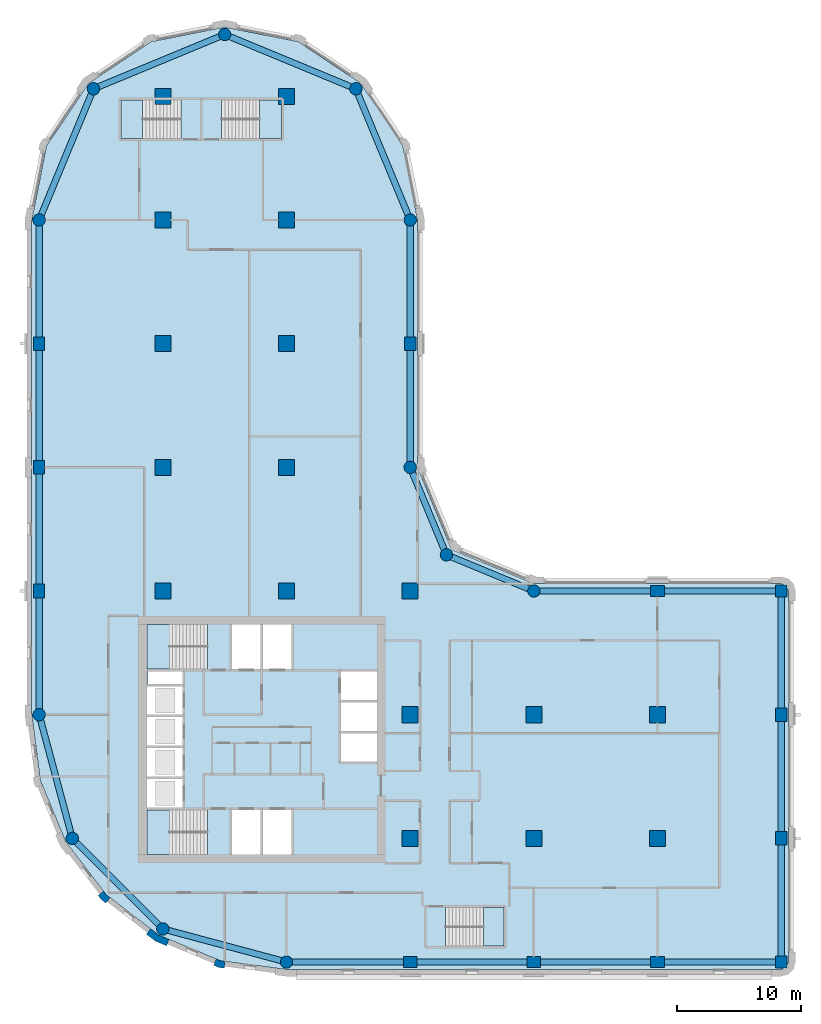
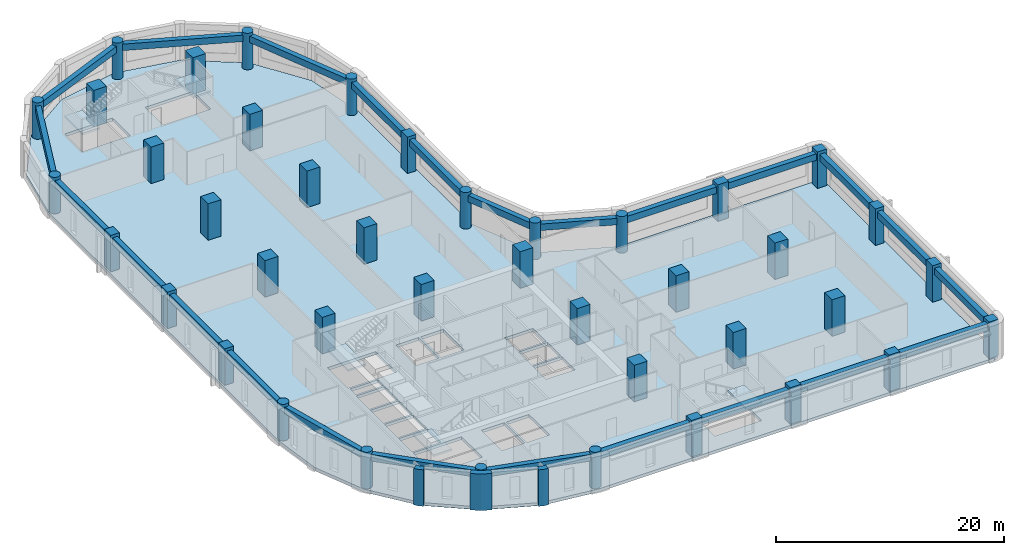
# One storey, part 1 of 9: 41 columns, 24 beams, 6 slabs, 3 walls, 5 elements without a shape of their own.
"""IFC4 building model written with IfcOpenShell, lengths in metres."""

from ifc_helpers import new_model, si_unit, direction, frame, origin, origin_2d, place, context, subcontext, project, spatial, polyline, rectangle, circle, outline, extrude, material, layer, layer_set, material_profile, profile_set, type_object, element, aggregate, save


model = new_model("IFC4")

# Units and contexts
model_context = context("Model", 3, precision=1e-05, world=origin(), true_north=direction((0.0, 1.0)))
body_context = subcontext(model_context, "Body", "Model", "MODEL_VIEW")
ifc_project = project(units=[si_unit("LENGTHUNIT", "METRE"), si_unit("AREAUNIT", "SQUARE_METRE"), si_unit("VOLUMEUNIT", "CUBIC_METRE"), si_unit("PLANEANGLEUNIT", "RADIAN"), si_unit("MASSUNIT", "GRAM", prefix="KILO")], contexts=[model_context])

# Site, building, storey
site_placement = place(None, origin())
site = spatial("IfcSite", under=ifc_project, at=site_placement, CompositionType="ELEMENT")
building_placement = place(site_placement, origin())
building = spatial("IfcBuilding", under=site, at=building_placement, Name="Qaws Garden Tower", CompositionType="ELEMENT")
storey_placement = place(building_placement, frame((0.0, 0.0, 170.699951171875)))
storey = spatial("IfcBuildingStorey", under=building, at=storey_placement, Name="L41", CompositionType="ELEMENT", Elevation=170.699951171875)

# Columns
ifc_material_1 = material(Name="Concrete C70", Category="concrete")
ifc_material_profile_1 = material_profile(ifc_material_1, rectangle(XDim=1.10009765625, YDim=0.89990234375, at=origin_2d()), Name="RC 1100x900")
ifc_profile_set_1 = profile_set([ifc_material_profile_1], Name="Concrete C70")
column_type_1 = type_object("IfcColumnType", Name="Column RC 1100x900 C70", PredefinedType="COLUMN", material=ifc_profile_set_1)
for number, where, z_axis, x_axis, name in (
    (1, (30.0, 0.0, 0.0), (0.0, 0.0, 1.0), (1.0, 0.0, 0.0), "Column L41-002"),
    (2, (40.0, 0.0, 0.0), (0.0, 0.0, 1.0), (1.0, 0.0, 0.0), "Column L41-003"),
    (3, (50.0, 0.0, 0.0), (0.0, 0.0, 1.0), (1.0, 0.0, 0.0), "Column L41-004"),
    (4, (60.0, 10.0, 0.0), (0.0, 0.0, 1.0), (0.0, 1.0, 0.0), "Column L41-006"),
    (5, (60.0, 20.0, 0.0), (0.0, 0.0, 1.0), (0.0, 1.0, 0.0), "Column L41-007"),
    (6, (50.0, 30.0, 0.0), (0.0, 0.0, 1.0), (1.0, 0.0, 0.0), "Column L41-009"),
    (7, (30.0, 50.0, 0.0), (0.0, 0.0, 1.0), (0.0, 1.0, 0.0), "Column L41-013"),
    (8, (0.0, 50.0, 0.0), (0.0, 0.0, 1.0), (0.0, 1.0, 0.0), "Column L41-019"),
    (9, (0.0, 40.0, 0.0), (0.0, 0.0, 1.0), (0.0, 1.0, 0.0), "Column L41-020"),
    (10, (0.0, 30.0, 0.0), (0.0, 0.0, 1.0), (0.0, 1.0, 0.0), "Column L41-021"),
):
    element("IfcColumn", number, at=place(storey_placement, frame(where, z_axis=z_axis, x_axis=x_axis)), inside=storey, type_object=column_type_1, Name=name, PredefinedType="COLUMN", context=body_context, shape_type="SweptSolid", body=[
        extrude(rectangle(XDim=1.10009765625, YDim=0.89990234375, at=origin_2d()), origin(), (0.0, 0.0, 1.0), 3.900146484375),
    ])
ifc_material_2 = material(Name="Concrete C70", Category="concrete")
ifc_material_profile_2 = material_profile(ifc_material_2, rectangle(XDim=1.300048828125, YDim=1.300048828125, at=origin_2d()), Name="RC 1300x1300")
ifc_profile_set_2 = profile_set([ifc_material_profile_2], Name="Concrete C70")
column_type_2 = type_object("IfcColumnType", Name="Column RC 1300x1300 C70", PredefinedType="COLUMN", material=ifc_profile_set_2)
for number, where, z_axis, x_axis, name in (
    (11, (10.0, 30.0, 0.0), (0.0, 0.0, 1.0), (1.0, 0.0, 0.0), "Column L41-025"),
    (12, (10.0, 40.0, 0.0), (0.0, 0.0, 1.0), (1.0, 0.0, 0.0), "Column L41-026"),
    (13, (10.0, 50.0, 0.0), (0.0, 0.0, 1.0), (1.0, 0.0, 0.0), "Column L41-027"),
    (14, (10.0, 60.0, 0.0), (0.0, 0.0, 1.0), (1.0, 0.0, 0.0), "Column L41-028"),
    (15, (10.0, 70.0, 0.0), (0.0, 0.0, 1.0), (1.0, 0.0, 0.0), "Column L41-029"),
    (16, (20.0, 30.0, 0.0), (0.0, 0.0, 1.0), (1.0, 0.0, 0.0), "Column L41-030"),
    (17, (20.0, 40.0, 0.0), (0.0, 0.0, 1.0), (1.0, 0.0, 0.0), "Column L41-031"),
    (18, (20.0, 50.0, 0.0), (0.0, 0.0, 1.0), (1.0, 0.0, 0.0), "Column L41-032"),
    (19, (20.0, 60.0, 0.0), (0.0, 0.0, 1.0), (1.0, 0.0, 0.0), "Column L41-033"),
    (20, (20.0, 70.0, 0.0), (0.0, 0.0, 1.0), (1.0, 0.0, 0.0), "Column L41-034"),
    (21, (30.0, 10.0, 0.0), (0.0, 0.0, 1.0), (1.0, 0.0, 0.0), "Column L41-035"),
    (22, (30.0, 20.0, 0.0), (0.0, 0.0, 1.0), (1.0, 0.0, 0.0), "Column L41-036"),
    (23, (30.0, 30.0, 0.0), (0.0, 0.0, 1.0), (1.0, 0.0, 0.0), "Column L41-037"),
    (24, (40.0, 10.0, 0.0), (0.0, 0.0, 1.0), (1.0, 0.0, 0.0), "Column L41-038"),
    (25, (40.0, 20.0, 0.0), (0.0, 0.0, 1.0), (1.0, 0.0, 0.0), "Column L41-039"),
    (26, (50.0, 10.0, 0.0), (0.0, 0.0, 1.0), (1.0, 0.0, 0.0), "Column L41-040"),
    (27, (50.0, 20.0, 0.0), (0.0, 0.0, 1.0), (1.0, 0.0, 0.0), "Column L41-041"),
):
    element("IfcColumn", number, at=place(storey_placement, frame(where, z_axis=z_axis, x_axis=x_axis)), inside=storey, type_object=column_type_2, Name=name, PredefinedType="COLUMN", context=body_context, shape_type="SweptSolid", body=[
        extrude(rectangle(XDim=1.300048828125, YDim=1.300048828125, at=origin_2d()), origin(), (0.0, 0.0, 1.0), 3.900146484375),
    ])
ifc_material_3 = material(Name="Concrete C70", Category="concrete")
ifc_material_profile_3 = material_profile(ifc_material_3, rectangle(XDim=0.949951171875, YDim=0.949951171875, at=origin_2d()), Name="RC 950x950")
ifc_profile_set_3 = profile_set([ifc_material_profile_3], Name="Concrete C70")
column_type_3 = type_object("IfcColumnType", Name="Column RC 950x950 C70", PredefinedType="COLUMN", material=ifc_profile_set_3)
for number, where, z_axis, x_axis, name in (
    (28, (60.0, 0.0, 0.0), (0.0, 0.0, 1.0), (1.0, 0.0, 0.0), "Column L41-005"),
    (29, (60.0, 30.0, 0.0), (0.0, 0.0, 1.0), (1.0, 0.0, 0.0), "Column L41-008"),
):
    element("IfcColumn", number, at=place(storey_placement, frame(where, z_axis=z_axis, x_axis=x_axis)), inside=storey, type_object=column_type_3, Name=name, PredefinedType="COLUMN", context=body_context, shape_type="SweptSolid", body=[
        extrude(rectangle(XDim=0.949951171875, YDim=0.949951171875, at=origin_2d()), origin(), (0.0, 0.0, 1.0), 3.900146484375),
    ])
ifc_material_4 = material(Name="Concrete C70", Category="concrete")
ifc_material_profile_4 = material_profile(ifc_material_4, circle(Radius=0.5, at=origin_2d()), Name="RC D1000")
ifc_profile_set_4 = profile_set([ifc_material_profile_4], Name="Concrete C70")
column_type_4 = type_object("IfcColumnType", Name="Column RC D1000 C70", PredefinedType="COLUMN", material=ifc_profile_set_4)
for number, where, z_axis, x_axis, name in (
    (30, (20.0, 0.0, 0.0), (0.0, 0.0, 1.0), (1.0, 0.0, 0.0), "Column L41-001"),
    (31, (40.0, 30.0, 0.0), (0.0, 0.0, 1.0), (1.0, 0.0, 0.0), "Column L41-010"),
    (32, (32.928955078125, 32.928955078125, 0.0), (0.0, 0.0, 1.0), (1.0, 0.0, 0.0), "Column L41-011"),
    (33, (30.0, 40.0, 0.0), (0.0, 0.0, 1.0), (1.0, 0.0, 0.0), "Column L41-012"),
    (34, (30.0, 60.0, 0.0), (0.0, 0.0, 1.0), (1.0, 0.0, 0.0), "Column L41-014"),
    (35, (25.606689453125, 70.606689453125, 0.0), (0.0, 0.0, 1.0), (1.0, 0.0, 0.0), "Column L41-015"),
    (36, (15.0, 75.0, 0.0), (0.0, 0.0, 1.0), (1.0, 0.0, 0.0), "Column L41-016"),
    (37, (4.393310546875, 70.606689453125, 0.0), (0.0, 0.0, 1.0), (1.0, 0.0, 0.0), "Column L41-017"),
    (38, (0.0, 60.0, 0.0), (0.0, 0.0, 1.0), (1.0, 0.0, 0.0), "Column L41-018"),
    (39, (0.0, 20.0, 0.0), (0.0, 0.0, 1.0), (1.0, 0.0, 0.0), "Column L41-022"),
    (40, (2.679443359375, 10.0, 0.0), (0.0, 0.0, 1.0), (1.0, 0.0, 0.0), "Column L41-023"),
    (41, (10.0, 2.679443359375, 0.0), (0.0, 0.0, 1.0), (1.0, 0.0, 0.0), "Column L41-024"),
):
    element("IfcColumn", number, at=place(storey_placement, frame(where, z_axis=z_axis, x_axis=x_axis)), inside=storey, type_object=column_type_4, Name=name, PredefinedType="COLUMN", context=body_context, shape_type="SweptSolid", body=[
        extrude(circle(Radius=0.5, at=origin_2d()), origin(), (0.0, 0.0, 1.0), 3.900146484375),
    ])

# Beams
ifc_material_5 = material(Name="Concrete C45", Category="concrete")
ifc_material_profile_5 = material_profile(ifc_material_5, rectangle(XDim=0.5, YDim=0.699951171875, at=origin_2d()), Name="RC 500x700")
ifc_profile_set_5 = profile_set([ifc_material_profile_5], Name="Concrete C45")
beam_type = type_object("IfcBeamType", Name="Spandrel beam RC 500x700 C45", PredefinedType="SPANDREL", material=ifc_profile_set_5)
for number, where, z_axis, x_axis, name in (
    (42, (20.0, 0.0, 3.22998046875), (1.0, 0.0, 0.0), (0.0, 1.0, 0.0), "Spandrel beam L41-001"),
    (43, (30.0, 0.0, 3.22998046875), (1.0, 0.0, 0.0), (0.0, 1.0, 0.0), "Spandrel beam L41-002"),
    (44, (40.0, 0.0, 3.22998046875), (1.0, 0.0, 0.0), (0.0, 1.0, 0.0), "Spandrel beam L41-003"),
    (45, (50.0, 0.0, 3.22998046875), (1.0, 0.0, 0.0), (0.0, 1.0, 0.0), "Spandrel beam L41-004"),
    (46, (60.0, 0.0, 3.22998046875), (0.0, 1.0, 0.0), (-1.0, 0.0, 0.0), "Spandrel beam L41-005"),
    (47, (60.0, 10.0, 3.22998046875), (0.0, 1.0, 0.0), (-1.0, 0.0, 0.0), "Spandrel beam L41-006"),
    (48, (60.0, 20.0, 3.22998046875), (0.0, 1.0, 0.0), (-1.0, 0.0, 0.0), "Spandrel beam L41-007"),
    (49, (60.0, 30.0, 3.22998046875), (-1.0, 0.0, 0.0), (0.0, -1.0, 0.0), "Spandrel beam L41-008"),
    (50, (50.0, 30.0, 3.22998046875), (-1.0, 0.0, 0.0), (0.0, -1.0, 0.0), "Spandrel beam L41-009"),
):
    element("IfcBeam", number, at=place(storey_placement, frame(where, z_axis=z_axis, x_axis=x_axis)), inside=storey, type_object=beam_type, Name=name, PredefinedType="SPANDREL", context=body_context, shape_type="SweptSolid", body=[
        extrude(rectangle(XDim=0.5, YDim=0.699951171875, at=origin_2d()), origin(), (0.0, 0.0, 1.0), 10.0),
    ])
for number, where, z_axis, x_axis, name in (
    (51, (40.0, 30.0, 3.22998046875), (-0.923878037141, 0.382687042488, 0.0), (-0.382687042488, -0.923878037141, 0.0), "Spandrel beam L41-010"),
    (52, (32.928955078125, 32.928955078125, 3.22998046875), (-0.382687042488, 0.923878037141, 0.0), (-0.923878037141, -0.382687042488, 0.0), "Spandrel beam L41-011"),
):
    element("IfcBeam", number, at=place(storey_placement, frame(where, z_axis=z_axis, x_axis=x_axis)), inside=storey, type_object=beam_type, Name=name, PredefinedType="SPANDREL", context=body_context, shape_type="SweptSolid", body=[
        extrude(rectangle(XDim=0.5, YDim=0.699951171875, at=origin_2d()), origin(), (0.0, 0.0, 1.0), 7.653564453125),
    ])
for number, where, z_axis, x_axis, name in (
    (53, (30.0, 40.0, 3.22998046875), (0.0, 1.0, 0.0), (-1.0, 0.0, 0.0), "Spandrel beam L41-012"),
    (54, (30.0, 50.0, 3.22998046875), (0.0, 1.0, 0.0), (-1.0, 0.0, 0.0), "Spandrel beam L41-013"),
):
    element("IfcBeam", number, at=place(storey_placement, frame(where, z_axis=z_axis, x_axis=x_axis)), inside=storey, type_object=beam_type, Name=name, PredefinedType="SPANDREL", context=body_context, shape_type="SweptSolid", body=[
        extrude(rectangle(XDim=0.5, YDim=0.699951171875, at=origin_2d()), origin(), (0.0, 0.0, 1.0), 10.0),
    ])
for number, where, z_axis, x_axis, name in (
    (55, (30.0, 60.0, 3.22998046875), (-0.382674207535, 0.923883353507, 0.0), (-0.923883353507, -0.382674207535, 0.0), "Spandrel beam L41-014"),
    (56, (25.606689453125, 70.606689453125, 3.22998046875), (-0.923883353507, 0.382674207535, 0.0), (-0.382674207535, -0.923883353507, 0.0), "Spandrel beam L41-015"),
    (57, (15.0, 75.0, 3.22998046875), (-0.923883353507, -0.382674207535, 0.0), (0.382674207535, -0.923883353507, 0.0), "Spandrel beam L41-016"),
    (58, (4.393310546875, 70.606689453125, 3.22998046875), (-0.382674207535, -0.923883353507, 0.0), (0.923883353507, -0.382674207535, 0.0), "Spandrel beam L41-017"),
):
    element("IfcBeam", number, at=place(storey_placement, frame(where, z_axis=z_axis, x_axis=x_axis)), inside=storey, type_object=beam_type, Name=name, PredefinedType="SPANDREL", context=body_context, shape_type="SweptSolid", body=[
        extrude(rectangle(XDim=0.5, YDim=0.699951171875, at=origin_2d()), origin(), (0.0, 0.0, 1.0), 11.48046875),
    ])
for number, where, z_axis, x_axis, name in (
    (59, (0.0, 60.0, 3.22998046875), (0.0, -1.0, 0.0), (1.0, 0.0, 0.0), "Spandrel beam L41-018"),
    (60, (0.0, 50.0, 3.22998046875), (0.0, -1.0, 0.0), (1.0, 0.0, 0.0), "Spandrel beam L41-019"),
    (61, (0.0, 40.0, 3.22998046875), (0.0, -1.0, 0.0), (1.0, 0.0, 0.0), "Spandrel beam L41-020"),
    (62, (0.0, 30.0, 3.22998046875), (0.0, -1.0, 0.0), (1.0, 0.0, 0.0), "Spandrel beam L41-021"),
):
    element("IfcBeam", number, at=place(storey_placement, frame(where, z_axis=z_axis, x_axis=x_axis)), inside=storey, type_object=beam_type, Name=name, PredefinedType="SPANDREL", context=body_context, shape_type="SweptSolid", body=[
        extrude(rectangle(XDim=0.5, YDim=0.699951171875, at=origin_2d()), origin(), (0.0, 0.0, 1.0), 10.0),
    ])
for number, where, z_axis, x_axis, name in (
    (63, (0.0, 20.0, 3.22998046875), (0.25881466832, -0.965926999034, 0.0), (0.965926999034, 0.25881466832, 0.0), "Spandrel beam L41-022"),
    (64, (2.679443359375, 10.0, 3.22998046875), (0.707106781187, -0.707106781187, 0.0), (0.707106781187, 0.707106781187, 0.0), "Spandrel beam L41-023"),
    (65, (10.0, 2.679443359375, 3.22998046875), (0.965926999034, -0.25881466832, 0.0), (0.25881466832, 0.965926999034, 0.0), "Spandrel beam L41-024"),
):
    element("IfcBeam", number, at=place(storey_placement, frame(where, z_axis=z_axis, x_axis=x_axis)), inside=storey, type_object=beam_type, Name=name, PredefinedType="SPANDREL", context=body_context, shape_type="SweptSolid", body=[
        extrude(rectangle(XDim=0.5, YDim=0.699951171875, at=origin_2d()), origin(), (0.0, 0.0, 1.0), 10.352783203125),
    ])

# Slab
ifc_material_6 = material(Name="Concrete C40", Category="concrete")
ifc_layer_1 = layer(ifc_material_6, 0.320068359375)
ifc_layer_set_1 = layer_set([ifc_layer_1], Name="Concrete C40")
slab_type_1 = type_object("IfcSlabType", Name="Floor slab 320 C40", PredefinedType="FLOOR", material=ifc_layer_set_1)
slab_1_placement = place(storey_placement, frame((0.0, 0.0, -0.320068359375)))
element("IfcSlab", 66, at=slab_1_placement, inside=storey, type_object=slab_type_1, Name="Floor slab L41", PredefinedType="FLOOR", context=body_context, shape_type="SweptSolid", body=[
    extrude(outline(polyline([(0.101806640625, 14.668212890625), (-0.60009765625, 20.0), (-0.60009765625, 30.60009765625), (-0.60009765625, 60.0), (-0.60009765625, 60.0), (0.58740234375, 65.969970703125), (3.968994140625, 71.031005859375), (9.030029296875, 74.41259765625), (15.0, 75.60009765625), (20.969970703125, 74.41259765625), (26.031005859375, 71.031005859375), (29.41259765625, 65.969970703125), (30.60009765625, 60.0), (30.60009765625, 40.0), (33.353271484375, 33.353271484375), (40.0, 30.60009765625), (60.0, 30.60009765625), (60.42431640625, 30.42431640625), (60.60009765625, 30.0), (60.60009765625, 0.0), (60.42431640625, -0.42431640625), (60.0, -0.60009765625), (30.60009765625, -0.60009765625), (20.0, -0.60009765625), (14.668212890625, 0.101806640625), (9.699951171875, 2.159912109375), (5.43359375, 5.43359375), (2.159912109375, 9.699951171875), (0.101806640625, 14.668212890625)]), holes=[polyline([(13.599609375, 12.300048828125), (8.699951171875, 12.300048828125), (8.699951171875, 8.699951171875), (13.599609375, 8.699951171875), (13.599609375, 12.300048828125)]), polyline([(17.89990234375, 12.300048828125), (15.60009765625, 12.300048828125), (15.60009765625, 8.699951171875), (17.89990234375, 8.699951171875), (17.89990234375, 12.300048828125)]), polyline([(11.60009765625, 14.800048828125), (8.699951171875, 14.800048828125), (8.699951171875, 12.5), (11.60009765625, 12.5), (11.60009765625, 14.800048828125)]), polyline([(11.60009765625, 17.300048828125), (8.699951171875, 17.300048828125), (8.699951171875, 15.0), (11.60009765625, 15.0), (11.60009765625, 17.300048828125)]), polyline([(11.60009765625, 19.800048828125), (8.699951171875, 19.800048828125), (8.699951171875, 17.5), (11.60009765625, 17.5), (11.60009765625, 19.800048828125)]), polyline([(11.60009765625, 22.300048828125), (8.699951171875, 22.300048828125), (8.699951171875, 20.0), (11.60009765625, 20.0), (11.60009765625, 22.300048828125)]), polyline([(11.60009765625, 23.5), (8.800048828125, 23.5), (8.800048828125, 22.5), (11.60009765625, 22.5), (11.60009765625, 23.5)]), polyline([(13.599609375, 27.300048828125), (8.699951171875, 27.300048828125), (8.699951171875, 23.699951171875), (13.599609375, 23.699951171875), (13.599609375, 27.300048828125)]), polyline([(11.449462890625, 69.699951171875), (6.60009765625, 69.699951171875), (6.60009765625, 66.60009765625), (11.449462890625, 66.60009765625), (11.449462890625, 69.699951171875)]), polyline([(37.60009765625, 4.39990234375), (32.8505859375, 4.39990234375), (32.8505859375, 1.300048828125), (37.60009765625, 1.300048828125), (37.60009765625, 4.39990234375)]), polyline([(20.39990234375, 12.300048828125), (18.10009765625, 12.300048828125), (18.10009765625, 8.699951171875), (20.39990234375, 8.699951171875), (20.39990234375, 12.300048828125)]), polyline([(27.300048828125, 18.5), (24.39990234375, 18.5), (24.39990234375, 16.199951171875), (27.300048828125, 16.199951171875), (27.300048828125, 18.5)]), polyline([(27.300048828125, 21.0), (24.39990234375, 21.0), (24.39990234375, 18.699951171875), (27.300048828125, 18.699951171875), (27.300048828125, 21.0)]), polyline([(27.300048828125, 23.5), (24.39990234375, 23.5), (24.39990234375, 21.199951171875), (27.300048828125, 21.199951171875), (27.300048828125, 23.5)]), polyline([(17.89990234375, 27.300048828125), (15.60009765625, 27.300048828125), (15.60009765625, 23.699951171875), (17.89990234375, 23.699951171875), (17.89990234375, 27.300048828125)]), polyline([(20.39990234375, 23.699951171875), (20.39990234375, 27.300048828125), (18.10009765625, 27.300048828125), (18.10009765625, 23.699951171875), (20.39990234375, 23.699951171875)]), polyline([(19.60009765625, 66.60009765625), (19.60009765625, 69.699951171875), (14.75048828125, 69.699951171875), (14.75048828125, 66.60009765625), (19.60009765625, 66.60009765625)])]), origin(), (0.0, 0.0, 1.0), 0.320068359375),
])

# Stair, slab
ifc_material_7 = material(Name="Concrete C40", Category="concrete")
stair_type_1 = type_object("IfcStairType", Name="Exit stair 1500", PredefinedType="HALF_TURN_STAIR", material=ifc_material_7)
placement_1 = place(storey_placement, origin())
stair_1 = element("IfcStair", 67, at=placement_1, inside=storey, type_object=stair_type_1, Name="Stair 1", PredefinedType="HALF_TURN_STAIR")
ifc_material_8 = material(Name="Concrete C40", Category="concrete")
ifc_layer_2 = layer(ifc_material_8, 0.199951171875)
ifc_layer_set_2 = layer_set([ifc_layer_2], Name="Concrete C40")
slab_type_2 = type_object("IfcSlabType", Name="Stair landing 200", PredefinedType="LANDING", material=ifc_layer_set_2)
placement_2 = place(storey_placement, frame((0.0, 0.0, 1.75)))
slab_2 = element("IfcSlab", 68, at=placement_2, type_object=slab_type_2, Name="ST1 landing 1", PredefinedType="LANDING", context=body_context, shape_type="SweptSolid", body=[
    extrude(outline(polyline([(8.699951171875, 8.699951171875), (10.52001953125, 8.699951171875), (10.52001953125, 12.300048828125), (8.699951171875, 12.300048828125), (8.699951171875, 8.699951171875)])), origin(), (0.0, 0.0, 1.0), 0.199951171875),
])
aggregate(stair_1, [slab_2])

stair_2 = element("IfcStair", 69, at=placement_1, inside=storey, type_object=stair_type_1, Name="Stair 4", PredefinedType="HALF_TURN_STAIR")
slab_3 = element("IfcSlab", 70, at=placement_2, type_object=slab_type_2, Name="ST4 landing 1", PredefinedType="LANDING", context=body_context, shape_type="SweptSolid", body=[
    extrude(outline(polyline([(8.699951171875, 23.699951171875), (10.52001953125, 23.699951171875), (10.52001953125, 27.300048828125), (8.699951171875, 27.300048828125), (8.699951171875, 23.699951171875)])), origin(), (0.0, 0.0, 1.0), 0.199951171875),
])
aggregate(stair_2, [slab_3])

ifc_material_9 = material(Name="Concrete C40", Category="concrete")
stair_type_2 = type_object("IfcStairType", Name="Exit stair 1350", PredefinedType="HALF_TURN_STAIR", material=ifc_material_9)
stair_3 = element("IfcStair", 71, at=placement_1, inside=storey, type_object=stair_type_2, Name="Stair 5", PredefinedType="HALF_TURN_STAIR")
slab_4 = element("IfcSlab", 72, at=placement_2, type_object=slab_type_2, Name="ST5 landing 1", PredefinedType="LANDING", context=body_context, shape_type="SweptSolid", body=[
    extrude(outline(polyline([(35.929931640625, 1.300048828125), (37.60009765625, 1.300048828125), (37.60009765625, 4.39990234375), (35.929931640625, 4.39990234375), (35.929931640625, 1.300048828125)])), origin(), (0.0, 0.0, 1.0), 0.199951171875),
])
aggregate(stair_3, [slab_4])

stair_4 = element("IfcStair", 73, at=placement_1, inside=storey, type_object=stair_type_2, Name="Stair 6", PredefinedType="HALF_TURN_STAIR")
slab_5 = element("IfcSlab", 74, at=placement_2, type_object=slab_type_2, Name="ST6 landing 1", PredefinedType="LANDING", context=body_context, shape_type="SweptSolid", body=[
    extrude(outline(polyline([(6.60009765625, 66.60009765625), (8.3701171875, 66.60009765625), (8.3701171875, 69.699951171875), (6.60009765625, 69.699951171875), (6.60009765625, 66.60009765625)])), origin(), (0.0, 0.0, 1.0), 0.199951171875),
])
aggregate(stair_4, [slab_5])

stair_5 = element("IfcStair", 75, at=placement_1, inside=storey, type_object=stair_type_2, Name="Stair 7", PredefinedType="HALF_TURN_STAIR")
slab_6 = element("IfcSlab", 76, at=placement_2, type_object=slab_type_2, Name="ST7 landing 1", PredefinedType="LANDING", context=body_context, shape_type="SweptSolid", body=[
    extrude(outline(polyline([(17.830078125, 66.60009765625), (19.60009765625, 66.60009765625), (19.60009765625, 69.699951171875), (17.830078125, 69.699951171875), (17.830078125, 66.60009765625)])), origin(), (0.0, 0.0, 1.0), 0.199951171875),
])
aggregate(stair_5, [slab_6])

# Walls
ifc_material_10 = material(Name="Clay facing brick masonry", Category="masonry")
ifc_layer_3 = layer(ifc_material_10, 0.550048828125)
ifc_layer_set_3 = layer_set([ifc_layer_3], Name="Clay facing brick masonry")
wall_type_1 = type_object("IfcWallType", Name="Brick kink pier 550 x 600", PredefinedType="SOLIDWALL", material=ifc_layer_set_3)
element("IfcWall", 77, at=placement_1, inside=storey, type_object=wall_type_1, Name="E-L41-pier-28", PredefinedType="SOLIDWALL", context=body_context, shape_type="SweptSolid", body=[
    extrude(outline(polyline([(4.8818359375, 5.487060546875), (4.762939453125, 5.395751953125), (5.03759765625, 5.03759765625), (5.395751953125, 4.762939453125), (5.487060546875, 4.8818359375), (5.730712890625, 5.19921875), (5.429931640625, 5.429931640625), (5.19921875, 5.730712890625), (4.8818359375, 5.487060546875)])), origin(), (0.0, 0.0, 1.0), 3.900146484375),
])
element("IfcWall", 78, at=placement_1, inside=storey, type_object=wall_type_1, Name="E-L41-pier-30", PredefinedType="SOLIDWALL", context=body_context, shape_type="SweptSolid", body=[
    extrude(outline(polyline([(14.163818359375, -0.127685546875), (14.1064453125, -0.26611328125), (14.5234375, -0.43896484375), (14.970947265625, -0.497802734375), (14.990478515625, -0.34912109375), (15.042724609375, 0.04736328125), (14.6669921875, 0.096923828125), (14.31689453125, 0.241943359375), (14.163818359375, -0.127685546875)])), origin(), (0.0, 0.0, 1.0), 3.900146484375),
])
ifc_material_11 = material(Name="Clay facing brick masonry", Category="masonry")
ifc_layer_4 = layer(ifc_material_11, 0.550048828125)
ifc_layer_set_4 = layer_set([ifc_layer_4], Name="Clay facing brick masonry")
wall_type_2 = type_object("IfcWallType", Name="Brick pier 550 x 1600", PredefinedType="SOLIDWALL", material=ifc_layer_set_4)
element("IfcWall", 79, at=placement_1, inside=storey, type_object=wall_type_2, Name="E-L41-pier-29", PredefinedType="SOLIDWALL", context=body_context, shape_type="SweptSolid", body=[
    extrude(outline(polyline([(8.756591796875, 2.373046875), (8.665283203125, 2.254150390625), (9.419921875, 1.675048828125), (10.299072265625, 1.310791015625), (10.3564453125, 1.449462890625), (10.509521484375, 1.819091796875), (9.697509765625, 2.1552734375), (9.0, 2.6904296875), (8.756591796875, 2.373046875)])), origin(), (0.0, 0.0, 1.0), 3.900146484375),
])

save(model, "model.ifc")
